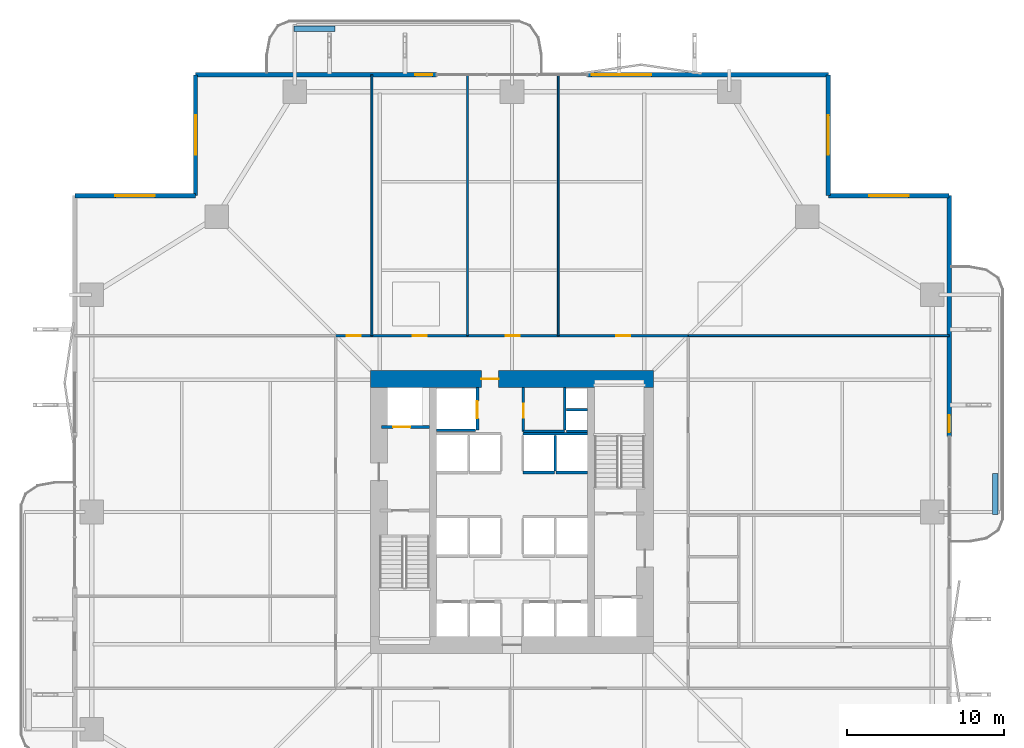
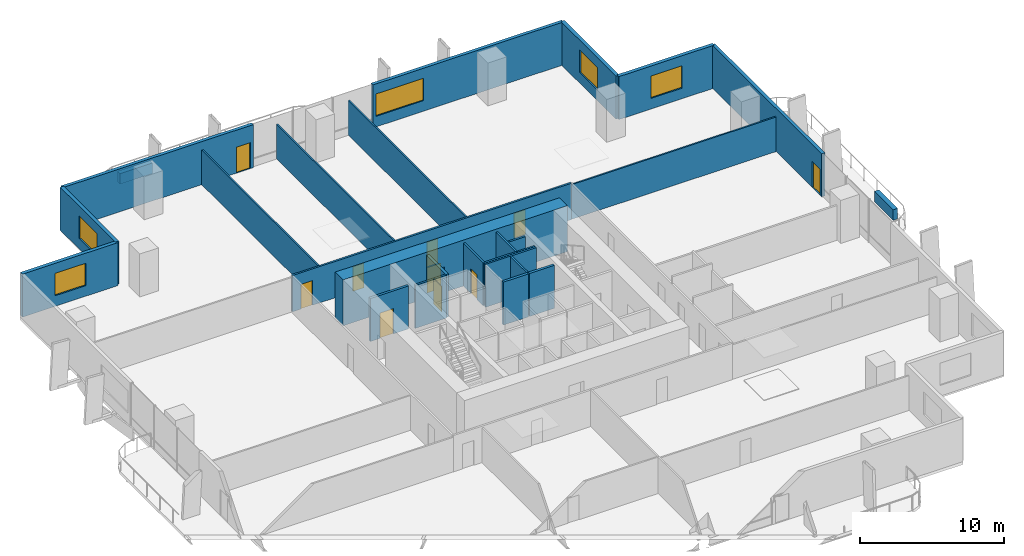
# One storey, part 19 of 24: 27 walls, 10 doors, 5 windows, 15 openings.
"""IFC4 building model written with IfcOpenShell, lengths in metres."""

from ifc_helpers import new_model, si_unit, direction, frame, frame_2d, origin, place, context, subcontext, project, spatial, rectangle, extrude, material, layer, layer_set, type_object, element, fill, save


model = new_model("IFC4")

# Units and contexts
model_context = context("Model", 3, precision=1e-05, world=origin(), true_north=direction((0.0, 1.0)))
body_context = subcontext(model_context, "Body", "Model", "MODEL_VIEW")
ifc_project = project(units=[si_unit("LENGTHUNIT", "METRE"), si_unit("AREAUNIT", "SQUARE_METRE"), si_unit("VOLUMEUNIT", "CUBIC_METRE"), si_unit("PLANEANGLEUNIT", "RADIAN"), si_unit("MASSUNIT", "GRAM", prefix="KILO")], contexts=[model_context])

# Site, building, storey
site_placement = place(None, origin())
site = spatial("IfcSite", under=ifc_project, at=site_placement, CompositionType="ELEMENT")
building_placement = place(site_placement, origin())
building = spatial("IfcBuilding", under=site, at=building_placement, Name="Belovzor Exchange Tower", CompositionType="ELEMENT")
storey_placement = place(building_placement, frame((0.0, 0.0, 61.199951171875)))
storey = spatial("IfcBuildingStorey", under=building, at=storey_placement, Name="L14", CompositionType="ELEMENT", Elevation=61.199951171875)

# Walls
ifc_material_1 = material(Name="Acoustic Plasterboard on Galvanised Studs", Category="gypsum")
ifc_layer_1 = layer(ifc_material_1, 0.1201171875)
ifc_layer_set_1 = layer_set([ifc_layer_1], Name="Acoustic Plasterboard on Galvanised Studs")
wall_type_1 = type_object("IfcWallType", Name="Acoustic Double-Stud Partition Wall 120", PredefinedType="PARTITIONING", material=ifc_layer_set_1)
for number, where, z_axis, x_axis, name in (
    (1, (19.89990234375, 40.0, 0.0), (0.0, 0.0, 1.0), (0.0, 1.0, 0.0), "W-P120 Partition Wall W-L14-NDIV-1"),
    (2, (25.97607421875, 40.0, 0.0), (0.0, 0.0, 1.0), (0.0, 1.0, 0.0), "W-P120 Partition Wall W-L14-NDIV-2"),
    (3, (31.740966796875, 40.0, 0.0), (0.0, 0.0, 1.0), (0.0, 1.0, 0.0), "W-P120 Partition Wall W-L14-NDIV-3"),
    (4, (40.0, 40.0, 0.0), (0.0, 0.0, 1.0), (1.0, 0.0, 0.0), "W-P120 Partition Wall W-L14-END-NE"),
):
    element("IfcWall", number, at=place(storey_placement, frame(where, z_axis=z_axis, x_axis=x_axis)), inside=storey, type_object=wall_type_1, Name=name, PredefinedType="PARTITIONING", context=body_context, shape_type="SweptSolid", body=[
        extrude(rectangle(XDim=16.570068359375, YDim=0.1201171875, at=frame_2d((8.28515625, 0.0))), origin(), (0.0, 0.0, 1.0), 2.93505859375),
    ])

# Wall, opening, door
ifc_material_2 = material(Name="Fire-Rated Gypsum Block and Mineral Wool", Category="gypsum")
ifc_layer_2 = layer(ifc_material_2, 0.14990234375)
ifc_layer_set_2 = layer_set([ifc_layer_2], Name="Fire-Rated Gypsum Block and Mineral Wool")
wall_type_2 = type_object("IfcWallType", Name="Fire-Rated Gypsum Block Corridor Wall 150", PredefinedType="PARTITIONING", material=ifc_layer_set_2)
wall_1_placement = place(storey_placement, frame((29.52490234375, 33.925048828125, 0.0), z_axis=(0.0, 0.0, 1.0), x_axis=(0.0, 1.0, 0.0)))
wall_1 = element("IfcWall", 5, at=wall_1_placement, inside=storey, type_object=wall_type_2, Name="W-P150 Partition Wall W-CRV-L14-W", PredefinedType="PARTITIONING", context=body_context, shape_type="SweptSolid", body=[
    extrude(rectangle(XDim=2.77490234375, YDim=0.14990234375, at=frame_2d((1.387451171875, 0.0))), origin(), (0.0, 0.0, 1.0), 3.650146484375),
])
opening_1_placement = place(wall_1_placement, frame((0.85009765625, 0.0, 0.0)))
opening_1 = element("IfcOpeningElement", 6, at=opening_1_placement, cuts=wall_1, Name="Opening D-FD60-090", PredefinedType="OPENING", context=body_context, shape_type="SweptSolid", body=[
    extrude(rectangle(XDim=0.89990234375, YDim=2.10009765625, at=frame_2d((0.449951171875, 1.050048828125))), frame((0.0, 0.0849609375, 0.0), z_axis=(0.0, -1.0, 0.0), x_axis=(1.0, 0.0, 0.0)), (0.0, 0.0, 1.0), 0.169921875),
])
ifc_material_3 = material(Name="Acoustic Timber Fire Leaf", Category="wood")
door_type_1 = type_object("IfcDoorType", Name="Core Service & Restroom Fire Door 900x2100", OperationType="NOTDEFINED", PredefinedType="DOOR", material=ifc_material_3)
door_1_placement = place(opening_1_placement, origin())
door_1 = element("IfcDoor", 7, at=door_1_placement, inside=storey, type_object=door_type_1, Name="D-FD60-090 Core Service & Restroom Fire Door 900x2100", OperationType="SINGLE_SWING_LEFT", OverallHeight=2.10009765625, OverallWidth=0.89990234375, PredefinedType="DOOR", context=body_context, shape_type="SweptSolid", body=[
    extrude(rectangle(XDim=0.89990234375, YDim=2.10009765625, at=frame_2d((0.449951171875, 1.050048828125))), frame((0.0, 0.02490234375, 0.0), z_axis=(0.0, -1.0, 0.0), x_axis=(1.0, 0.0, 0.0)), (0.0, 0.0, 1.0), 0.050048828125),
])
fill(opening_1, door_1)

# Wall
wall_2_placement = place(storey_placement, frame((29.52490234375, 33.925048828125, 0.0), z_axis=(0.0, 0.0, 1.0), x_axis=(1.0, 0.0, 0.0)))
element("IfcWall", 8, at=wall_2_placement, inside=storey, type_object=wall_type_2, Name="W-P150 Partition Wall W-CRV-L14-S", PredefinedType="PARTITIONING", context=body_context, shape_type="SweptSolid", body=[
    extrude(rectangle(XDim=2.625, YDim=0.14990234375, at=frame_2d((1.3125, 0.0))), origin(), (0.0, 0.0, 1.0), 3.650146484375),
])

# Wall, openings, doors
wall_3_placement = place(storey_placement, frame((17.60009765625, 40.0, 0.0), z_axis=(0.0, 0.0, 1.0), x_axis=(1.0, 0.0, 0.0)))
wall_3 = element("IfcWall", 9, at=wall_3_placement, inside=storey, type_object=wall_type_2, Name="W-P150 Partition Wall W-L14-CN", PredefinedType="PARTITIONING", context=body_context, shape_type="SweptSolid", body=[
    extrude(rectangle(XDim=22.39990234375, YDim=0.14990234375, at=frame_2d((11.199951171875, 0.0))), origin(), (0.0, 0.0, 1.0), 3.0849609375),
])
opening_2_placement = place(wall_3_placement, frame((0.699951171875, 0.0, 0.0)))
opening_2 = element("IfcOpeningElement", 10, at=opening_2_placement, cuts=wall_3, Name="Opening D-INT-090", PredefinedType="OPENING", context=body_context, shape_type="SweptSolid", body=[
    extrude(rectangle(XDim=0.89990234375, YDim=2.10009765625, at=frame_2d((0.449951171875, 1.050048828125))), frame((0.0, 0.0849609375, 0.0), z_axis=(0.0, -1.0, 0.0), x_axis=(1.0, 0.0, 0.0)), (0.0, 0.0, 1.0), 0.169921875),
])
opening_3_placement = place(wall_3_placement, frame((4.887939453125, 0.0, 0.0)))
opening_3 = element("IfcOpeningElement", 11, at=opening_3_placement, cuts=wall_3, Name="Opening D-INT-090", PredefinedType="OPENING", context=body_context, shape_type="SweptSolid", body=[
    extrude(rectangle(XDim=0.89990234375, YDim=2.10009765625, at=frame_2d((0.449951171875, 1.050048828125))), frame((0.0, 0.0849609375, 0.0), z_axis=(0.0, -1.0, 0.0), x_axis=(1.0, 0.0, 0.0)), (0.0, 0.0, 1.0), 0.169921875),
])
opening_4_placement = place(wall_3_placement, frame((10.80810546875, 0.0, 0.0)))
opening_4 = element("IfcOpeningElement", 12, at=opening_4_placement, cuts=wall_3, Name="Opening D-INT-090", PredefinedType="OPENING", context=body_context, shape_type="SweptSolid", body=[
    extrude(rectangle(XDim=0.89990234375, YDim=2.10009765625, at=frame_2d((0.449951171875, 1.050048828125))), frame((0.0, 0.0849609375, 0.0), z_axis=(0.0, -1.0, 0.0), x_axis=(1.0, 0.0, 0.0)), (0.0, 0.0, 1.0), 0.169921875),
])
opening_5_placement = place(wall_3_placement, frame((17.820068359375, 0.0, 0.0)))
opening_5 = element("IfcOpeningElement", 13, at=opening_5_placement, cuts=wall_3, Name="Opening D-INT-090", PredefinedType="OPENING", context=body_context, shape_type="SweptSolid", body=[
    extrude(rectangle(XDim=0.89990234375, YDim=2.10009765625, at=frame_2d((0.449951171875, 1.050048828125))), frame((0.0, 0.0849609375, 0.0), z_axis=(0.0, -1.0, 0.0), x_axis=(1.0, 0.0, 0.0)), (0.0, 0.0, 1.0), 0.169921875),
])
ifc_material_4 = material(Name="Veneered Hardwood Acoustic Leaf", Category="wood")
door_type_2 = type_object("IfcDoorType", Name="Trading Suite Acoustic Single Door 900x2100", OperationType="NOTDEFINED", PredefinedType="DOOR", material=ifc_material_4)
door_2_placement = place(opening_2_placement, origin())
door_2 = element("IfcDoor", 14, at=door_2_placement, inside=storey, type_object=door_type_2, Name="D-INT-090 Trading Suite Acoustic Single Door 900x2100", OperationType="SINGLE_SWING_LEFT", OverallHeight=2.10009765625, OverallWidth=0.89990234375, PredefinedType="DOOR", context=body_context, shape_type="SweptSolid", body=[
    extrude(rectangle(XDim=0.89990234375, YDim=2.10009765625, at=frame_2d((0.449951171875, 1.050048828125))), frame((0.0, 0.02490234375, 0.0), z_axis=(0.0, -1.0, 0.0), x_axis=(1.0, 0.0, 0.0)), (0.0, 0.0, 1.0), 0.050048828125),
])
fill(opening_2, door_2)
door_3_placement = place(opening_3_placement, origin())
door_3 = element("IfcDoor", 15, at=door_3_placement, inside=storey, type_object=door_type_2, Name="D-INT-090 Trading Suite Acoustic Single Door 900x2100", OperationType="SINGLE_SWING_RIGHT", OverallHeight=2.10009765625, OverallWidth=0.89990234375, PredefinedType="DOOR", context=body_context, shape_type="SweptSolid", body=[
    extrude(rectangle(XDim=0.89990234375, YDim=2.10009765625, at=frame_2d((0.449951171875, 1.050048828125))), frame((0.0, 0.02490234375, 0.0), z_axis=(0.0, -1.0, 0.0), x_axis=(1.0, 0.0, 0.0)), (0.0, 0.0, 1.0), 0.050048828125),
])
fill(opening_3, door_3)
door_4_placement = place(opening_4_placement, origin())
door_4 = element("IfcDoor", 16, at=door_4_placement, inside=storey, type_object=door_type_2, Name="D-INT-090 Trading Suite Acoustic Single Door 900x2100", OperationType="SINGLE_SWING_LEFT", OverallHeight=2.10009765625, OverallWidth=0.89990234375, PredefinedType="DOOR", context=body_context, shape_type="SweptSolid", body=[
    extrude(rectangle(XDim=0.89990234375, YDim=2.10009765625, at=frame_2d((0.449951171875, 1.050048828125))), frame((0.0, 0.02490234375, 0.0), z_axis=(0.0, -1.0, 0.0), x_axis=(1.0, 0.0, 0.0)), (0.0, 0.0, 1.0), 0.050048828125),
])
fill(opening_4, door_4)
door_5_placement = place(opening_5_placement, origin())
door_5 = element("IfcDoor", 17, at=door_5_placement, inside=storey, type_object=door_type_2, Name="D-INT-090 Trading Suite Acoustic Single Door 900x2100", OperationType="SINGLE_SWING_RIGHT", OverallHeight=2.10009765625, OverallWidth=0.89990234375, PredefinedType="DOOR", context=body_context, shape_type="SweptSolid", body=[
    extrude(rectangle(XDim=0.89990234375, YDim=2.10009765625, at=frame_2d((0.449951171875, 1.050048828125))), frame((0.0, 0.02490234375, 0.0), z_axis=(0.0, -1.0, 0.0), x_axis=(1.0, 0.0, 0.0)), (0.0, 0.0, 1.0), 0.050048828125),
])
fill(opening_5, door_5)

# Wall, opening, window
ifc_material_5 = material(Name="Precast concrete C40/50", Category="concrete")
ifc_layer_3 = layer(ifc_material_5, 0.280029296875)
ifc_layer_set_3 = layer_set([ifc_layer_3], Name="Precast concrete C40/50")
wall_type_3 = type_object("IfcWallType", Name="Precast Concrete Notched Corner Frame Wall 280", PredefinedType="SOLIDWALL", material=ifc_layer_set_3)
wall_4_placement = place(storey_placement, frame((1.030029296875, 48.89990234375, 0.0), z_axis=(0.0, 0.0, 1.0), x_axis=(1.0, 0.0, 0.0)))
wall_4 = element("IfcWall", 18, at=wall_4_placement, inside=storey, type_object=wall_type_3, Name="W-CRN280 Precast Concrete Notched Corner Frame Wall 280 L14", PredefinedType="SOLIDWALL", context=body_context, shape_type="SweptSolid", body=[
    extrude(rectangle(XDim=7.669921875, YDim=0.280029296875, at=frame_2d((3.8349609375, 0.0))), origin(), (0.0, 0.0, 1.0), 3.650146484375),
])
opening_6_placement = place(wall_4_placement, frame((2.5849609375, 0.0, 0.89990234375)))
opening_6 = element("IfcOpeningElement", 19, at=opening_6_placement, cuts=wall_4, Name="Opening WN-CRN250", PredefinedType="OPENING", context=body_context, shape_type="SweptSolid", body=[
    extrude(rectangle(XDim=2.5, YDim=1.89990234375, at=frame_2d((1.25, 0.949951171875))), frame((0.0, 0.14990234375, 0.0), z_axis=(0.0, -1.0, 0.0), x_axis=(1.0, 0.0, 0.0)), (0.0, 0.0, 1.0), 0.300048828125),
])
ifc_material_6 = material(Name="Thermally Broken Aluminium and Triple Glazing", Category="aluminium")
window_type_1 = type_object("IfcWindowType", Name="Streamline Moderne Corner Wrap Ribbon Window 2500x1900", PartitioningType="SINGLE_PANEL", PredefinedType="WINDOW", material=ifc_material_6)
window_1_placement = place(opening_6_placement, origin())
window_1 = element("IfcWindow", 20, at=window_1_placement, inside=storey, type_object=window_type_1, Name="WN-CRN250 Streamline Moderne Corner Wrap Ribbon Window 2500x1900", OverallHeight=1.89990234375, OverallWidth=2.5, PartitioningType="SINGLE_PANEL", PredefinedType="WINDOW", context=body_context, shape_type="SweptSolid", body=[
    extrude(rectangle(XDim=2.5, YDim=1.89990234375, at=frame_2d((1.25, 0.949951171875))), frame((0.0, 0.030029296875, 0.0), z_axis=(0.0, -1.0, 0.0), x_axis=(1.0, 0.0, 0.0)), (0.0, 0.0, 1.0), 0.06005859375),
])
fill(opening_6, window_1)

wall_5_placement = place(storey_placement, frame((8.699951171875, 48.89990234375, 0.0), z_axis=(0.0, 0.0, 1.0), x_axis=(0.0, 1.0, 0.0)))
wall_5 = element("IfcWall", 21, at=wall_5_placement, inside=storey, type_object=wall_type_3, Name="W-CRN280 Precast Concrete Notched Corner Frame Wall 280 L14", PredefinedType="SOLIDWALL", context=body_context, shape_type="SweptSolid", body=[
    extrude(rectangle(XDim=7.670166015625, YDim=0.280029296875, at=frame_2d((3.8349609375, 0.0))), origin(), (0.0, 0.0, 1.0), 3.650146484375),
])
opening_7_placement = place(wall_5_placement, frame((2.5849609375, 0.0, 0.89990234375)))
opening_7 = element("IfcOpeningElement", 22, at=opening_7_placement, cuts=wall_5, Name="Opening WN-CRN250", PredefinedType="OPENING", context=body_context, shape_type="SweptSolid", body=[
    extrude(rectangle(XDim=2.5, YDim=1.89990234375, at=frame_2d((1.25, 0.949951171875))), frame((0.0, 0.14990234375, 0.0), z_axis=(0.0, -1.0, 0.0), x_axis=(1.0, 0.0, 0.0)), (0.0, 0.0, 1.0), 0.300048828125),
])
window_2_placement = place(opening_7_placement, origin())
window_2 = element("IfcWindow", 23, at=window_2_placement, inside=storey, type_object=window_type_1, Name="WN-CRN250 Streamline Moderne Corner Wrap Ribbon Window 2500x1900", OverallHeight=1.89990234375, OverallWidth=2.5, PartitioningType="SINGLE_PANEL", PredefinedType="WINDOW", context=body_context, shape_type="SweptSolid", body=[
    extrude(rectangle(XDim=2.5, YDim=1.89990234375, at=frame_2d((1.25, 0.949951171875))), frame((0.0, 0.030029296875, 0.0), z_axis=(0.0, -1.0, 0.0), x_axis=(1.0, 0.0, 0.0)), (0.0, 0.0, 1.0), 0.06005859375),
])
fill(opening_7, window_2)

wall_6_placement = place(storey_placement, frame((48.89990234375, 56.570068359375, 0.0), z_axis=(0.0, 0.0, 1.0), x_axis=(0.0, -1.0, 0.0)))
wall_6 = element("IfcWall", 24, at=wall_6_placement, inside=storey, type_object=wall_type_3, Name="W-CRN280 Precast Concrete Notched Corner Frame Wall 280 L14", PredefinedType="SOLIDWALL", context=body_context, shape_type="SweptSolid", body=[
    extrude(rectangle(XDim=7.670166015625, YDim=0.280029296875, at=frame_2d((3.8349609375, 0.0))), origin(), (0.0, 0.0, 1.0), 3.650146484375),
])
opening_8_placement = place(wall_6_placement, frame((2.5849609375, 0.0, 0.89990234375)))
opening_8 = element("IfcOpeningElement", 25, at=opening_8_placement, cuts=wall_6, Name="Opening WN-CRN250", PredefinedType="OPENING", context=body_context, shape_type="SweptSolid", body=[
    extrude(rectangle(XDim=2.5, YDim=1.89990234375, at=frame_2d((1.25, 0.949951171875))), frame((0.0, 0.14990234375, 0.0), z_axis=(0.0, -1.0, 0.0), x_axis=(1.0, 0.0, 0.0)), (0.0, 0.0, 1.0), 0.300048828125),
])
window_3_placement = place(opening_8_placement, origin())
window_3 = element("IfcWindow", 26, at=window_3_placement, inside=storey, type_object=window_type_1, Name="WN-CRN250 Streamline Moderne Corner Wrap Ribbon Window 2500x1900", OverallHeight=1.89990234375, OverallWidth=2.5, PartitioningType="SINGLE_PANEL", PredefinedType="WINDOW", context=body_context, shape_type="SweptSolid", body=[
    extrude(rectangle(XDim=2.5, YDim=1.89990234375, at=frame_2d((1.25, 0.949951171875))), frame((0.0, 0.030029296875, 0.0), z_axis=(0.0, -1.0, 0.0), x_axis=(1.0, 0.0, 0.0)), (0.0, 0.0, 1.0), 0.06005859375),
])
fill(opening_8, window_3)

wall_7_placement = place(storey_placement, frame((48.89990234375, 48.89990234375, 0.0), z_axis=(0.0, 0.0, 1.0), x_axis=(1.0, 0.0, 0.0)))
wall_7 = element("IfcWall", 27, at=wall_7_placement, inside=storey, type_object=wall_type_3, Name="W-CRN280 Precast Concrete Notched Corner Frame Wall 280 L14", PredefinedType="SOLIDWALL", context=body_context, shape_type="SweptSolid", body=[
    extrude(rectangle(XDim=7.670166015625, YDim=0.280029296875, at=frame_2d((3.8349609375, 0.0))), origin(), (0.0, 0.0, 1.0), 3.650146484375),
])
opening_9_placement = place(wall_7_placement, frame((2.5849609375, 0.0, 0.89990234375)))
opening_9 = element("IfcOpeningElement", 28, at=opening_9_placement, cuts=wall_7, Name="Opening WN-CRN250", PredefinedType="OPENING", context=body_context, shape_type="SweptSolid", body=[
    extrude(rectangle(XDim=2.5, YDim=1.89990234375, at=frame_2d((1.25, 0.949951171875))), frame((0.0, 0.14990234375, 0.0), z_axis=(0.0, -1.0, 0.0), x_axis=(1.0, 0.0, 0.0)), (0.0, 0.0, 1.0), 0.300048828125),
])
window_4_placement = place(opening_9_placement, origin())
window_4 = element("IfcWindow", 29, at=window_4_placement, inside=storey, type_object=window_type_1, Name="WN-CRN250 Streamline Moderne Corner Wrap Ribbon Window 2500x1900", OverallHeight=1.89990234375, OverallWidth=2.5, PartitioningType="SINGLE_PANEL", PredefinedType="WINDOW", context=body_context, shape_type="SweptSolid", body=[
    extrude(rectangle(XDim=2.5, YDim=1.89990234375, at=frame_2d((1.25, 0.949951171875))), frame((0.0, 0.030029296875, 0.0), z_axis=(0.0, -1.0, 0.0), x_axis=(1.0, 0.0, 0.0)), (0.0, 0.0, 1.0), 0.06005859375),
])
fill(opening_9, window_4)

# Wall, opening, door
ifc_material_7 = material(Name="Precast concrete C40/50", Category="concrete")
ifc_layer_4 = layer(ifc_material_7, 0.260009765625)
ifc_layer_set_4 = layer_set([ifc_layer_4], Name="Precast concrete C40/50")
wall_type_4 = type_object("IfcWallType", Name="Precast Concrete Perimeter Loggia Frame Wall 260", PredefinedType="SOLIDWALL", material=ifc_layer_set_4)
wall_8_placement = place(storey_placement, frame((8.699951171875, 56.570068359375, 0.0), z_axis=(0.0, 0.0, 1.0), x_axis=(1.0, 0.0, 0.0)))
wall_8 = element("IfcWall", 30, at=wall_8_placement, inside=storey, type_object=wall_type_4, Name="W-EXT260 Precast Concrete Perimeter Loggia Frame Wall 260 L14", PredefinedType="SOLIDWALL", context=body_context, shape_type="SweptSolid", body=[
    extrude(rectangle(XDim=15.300048828125, YDim=0.260009765625, at=frame_2d((7.64990234375, 0.0))), origin(), (0.0, 0.0, 1.0), 3.650146484375),
])
opening_10_placement = place(wall_8_placement, frame((13.949951171875, 0.0, 0.0)))
opening_10 = element("IfcOpeningElement", 31, at=opening_10_placement, cuts=wall_8, Name="Opening D-BAL110", PredefinedType="OPENING", context=body_context, shape_type="SweptSolid", body=[
    extrude(rectangle(XDim=1.10009765625, YDim=2.199951171875, at=frame_2d((0.550048828125, 1.10009765625))), frame((0.0, 0.139892578125, 0.0), z_axis=(0.0, -1.0, 0.0), x_axis=(1.0, 0.0, 0.0)), (0.0, 0.0, 1.0), 0.280029296875),
])
ifc_material_8 = material(Name="Thermally Broken Anodised Aluminium and Laminated Glass", Category="aluminium")
door_type_3 = type_object("IfcDoorType", Name="Planted Loggia Terrace Glazed Door 1100x2200", OperationType="SINGLE_SWING_LEFT", PredefinedType="DOOR", material=ifc_material_8)
door_6_placement = place(opening_10_placement, origin())
door_6 = element("IfcDoor", 32, at=door_6_placement, inside=storey, type_object=door_type_3, Name="D-BAL110 Balcony Terrace Door L14 N", OperationType="SINGLE_SWING_RIGHT", OverallHeight=2.199951171875, OverallWidth=1.10009765625, PredefinedType="DOOR", context=body_context, shape_type="SweptSolid", body=[
    extrude(rectangle(XDim=1.10009765625, YDim=2.199951171875, at=frame_2d((0.550048828125, 1.10009765625))), frame((0.0, 0.02490234375, 0.0), z_axis=(0.0, -1.0, 0.0), x_axis=(1.0, 0.0, 0.0)), (0.0, 0.0, 1.0), 0.050048828125),
])
fill(opening_10, door_6)

# Wall, opening, window
wall_9_placement = place(storey_placement, frame((33.60009765625, 56.570068359375, 0.0), z_axis=(0.0, 0.0, 1.0), x_axis=(1.0, 0.0, 0.0)))
wall_9 = element("IfcWall", 33, at=wall_9_placement, inside=storey, type_object=wall_type_4, Name="W-EXT260 Precast Concrete Perimeter Loggia Frame Wall 260 L14", PredefinedType="SOLIDWALL", context=body_context, shape_type="SweptSolid", body=[
    extrude(rectangle(XDim=15.2998046875, YDim=0.260009765625, at=frame_2d((7.64990234375, 0.0))), origin(), (0.0, 0.0, 1.0), 3.650146484375),
])
opening_11_placement = place(wall_9_placement, frame((0.25, 0.0, 0.89990234375)))
opening_11 = element("IfcOpeningElement", 34, at=opening_11_placement, cuts=wall_9, Name="Opening WN-RIB380", PredefinedType="OPENING", context=body_context, shape_type="SweptSolid", body=[
    extrude(rectangle(XDim=3.800048828125, YDim=1.89990234375, at=frame_2d((1.89990234375, 0.949951171875))), frame((0.0, 0.139892578125, 0.0), z_axis=(0.0, -1.0, 0.0), x_axis=(1.0, 0.0, 0.0)), (0.0, 0.0, 1.0), 0.280029296875),
])
ifc_material_9 = material(Name="Thermally Broken Aluminium and Triple Glazing", Category="aluminium")
window_type_2 = type_object("IfcWindowType", Name="Streamline Moderne Horizontal Ribbon Window 3800x1900", PartitioningType="SINGLE_PANEL", PredefinedType="WINDOW", material=ifc_material_9)
window_5_placement = place(opening_11_placement, origin())
window_5 = element("IfcWindow", 35, at=window_5_placement, inside=storey, type_object=window_type_2, Name="WN-RIB380 Streamline Moderne Horizontal Ribbon Window 3800x1900", OverallHeight=1.89990234375, OverallWidth=3.800048828125, PartitioningType="SINGLE_PANEL", PredefinedType="WINDOW", context=body_context, shape_type="SweptSolid", body=[
    extrude(rectangle(XDim=3.800048828125, YDim=1.89990234375, at=frame_2d((1.89990234375, 0.949951171875))), frame((0.0, 0.030029296875, 0.0), z_axis=(0.0, -1.0, 0.0), x_axis=(1.0, 0.0, 0.0)), (0.0, 0.0, 1.0), 0.06005859375),
])
fill(opening_11, window_5)

# Wall, opening, door
wall_10_placement = place(storey_placement, frame((56.570068359375, 48.89990234375, 0.0), z_axis=(0.0, 0.0, 1.0), x_axis=(0.0, -1.0, 0.0)))
wall_10 = element("IfcWall", 36, at=wall_10_placement, inside=storey, type_object=wall_type_4, Name="W-EXT260 Precast Concrete Perimeter Loggia Frame Wall 260 L14", PredefinedType="SOLIDWALL", context=body_context, shape_type="SweptSolid", body=[
    extrude(rectangle(XDim=15.2998046875, YDim=0.260009765625, at=frame_2d((7.64990234375, 0.0))), origin(), (0.0, 0.0, 1.0), 3.650146484375),
])
opening_12_placement = place(wall_10_placement, frame((13.949951171875, 0.0, 0.0)))
opening_12 = element("IfcOpeningElement", 37, at=opening_12_placement, cuts=wall_10, Name="Opening D-BAL110", PredefinedType="OPENING", context=body_context, shape_type="SweptSolid", body=[
    extrude(rectangle(XDim=1.10009765625, YDim=2.199951171875, at=frame_2d((0.550048828125, 1.10009765625))), frame((0.0, 0.139892578125, 0.0), z_axis=(0.0, -1.0, 0.0), x_axis=(1.0, 0.0, 0.0)), (0.0, 0.0, 1.0), 0.280029296875),
])
door_7_placement = place(opening_12_placement, origin())
door_7 = element("IfcDoor", 38, at=door_7_placement, inside=storey, type_object=door_type_3, Name="D-BAL110 Balcony Terrace Door L14 E", OperationType="SINGLE_SWING_LEFT", OverallHeight=2.199951171875, OverallWidth=1.10009765625, PredefinedType="DOOR", context=body_context, shape_type="SweptSolid", body=[
    extrude(rectangle(XDim=1.10009765625, YDim=2.199951171875, at=frame_2d((0.550048828125, 1.10009765625))), frame((0.0, 0.02490234375, 0.0), z_axis=(0.0, -1.0, 0.0), x_axis=(1.0, 0.0, 0.0)), (0.0, 0.0, 1.0), 0.050048828125),
])
fill(opening_12, door_7)

# Walls
ifc_material_10 = material(Name="Precast concrete C40/50", Category="concrete")
ifc_layer_5 = layer(ifc_material_10, 0.35009765625)
ifc_layer_set_5 = layer_set([ifc_layer_5], Name="Precast concrete C40/50")
wall_type_5 = type_object("IfcWallType", Name="Precast Concrete Structural Tree Planter Trough 350", PredefinedType="PARAPET", material=ifc_layer_set_5)
for number, where, z_axis, x_axis, name in (
    (39, (14.949951171875, 59.5, 0.0), (0.0, 0.0, 1.0), (1.0, 0.0, 0.0), "PT-350 Precast Concrete Structural Tree Planter Trough 350 L14"),
    (40, (59.5, 28.64990234375, 0.0), (0.0, 0.0, 1.0), (0.0, 1.0, 0.0), "PT-350 Precast Concrete Structural Tree Planter Trough 350 L14"),
):
    element("IfcWall", number, at=place(storey_placement, frame(where, z_axis=z_axis, x_axis=x_axis)), inside=storey, type_object=wall_type_5, Name=name, PredefinedType="PARAPET", context=body_context, shape_type="SweptSolid", body=[
        extrude(rectangle(XDim=2.60009765625, YDim=0.35009765625, at=frame_2d((1.300048828125, 0.0))), origin(), (0.0, 0.0, 1.0), 0.900146484375),
    ])
ifc_material_11 = material(Name="Concrete C50/60", Category="concrete")
ifc_layer_6 = layer(ifc_material_11, 0.14990234375)
ifc_layer_set_6 = layer_set([ifc_layer_6], Name="Concrete C50/60")
wall_type_6 = type_object("IfcWallType", Name="Reinforced Concrete Core Riser Shear Wall 150", PredefinedType="SHEAR", material=ifc_layer_set_6)
wall_11_placement = place(storey_placement, frame((32.14990234375, 34.0, 0.0), z_axis=(0.0, 0.0, 1.0), x_axis=(0.0, 1.0, 0.0)))
element("IfcWall", 41, at=wall_11_placement, inside=storey, type_object=wall_type_6, Name="W-C150S Core Shaft Wall W-RSR-L14-E", PredefinedType="SHEAR", context=body_context, shape_type="SweptSolid", body=[
    extrude(rectangle(XDim=2.699951171875, YDim=0.14990234375, at=frame_2d((1.35009765625, 0.0))), origin(), (0.0, 0.0, 1.0), 3.650146484375),
])
for number, where, z_axis, x_axis, name in (
    (42, (32.25, 33.925048828125, 0.0), (0.0, 0.0, 1.0), (1.0, 0.0, 0.0), "W-C150S Core Shaft Wall W-RSR-L14-S"),
    (43, (32.25, 35.300048828125, 0.0), (0.0, 0.0, 1.0), (1.0, 0.0, 0.0), "W-C150S Core Shaft Wall W-RSR-L14-M"),
):
    element("IfcWall", number, at=place(storey_placement, frame(where, z_axis=z_axis, x_axis=x_axis)), inside=storey, type_object=wall_type_6, Name=name, PredefinedType="SHEAR", context=body_context, shape_type="SweptSolid", body=[
        extrude(rectangle(XDim=1.330078125, YDim=0.14990234375, at=frame_2d((0.6650390625, 0.0))), origin(), (0.0, 0.0, 1.0), 3.650146484375),
    ])
wall_12_placement = place(storey_placement, frame((24.0, 34.0, 0.0), z_axis=(0.0, 0.0, 1.0), x_axis=(1.0, 0.0, 0.0)))
element("IfcWall", 44, at=wall_12_placement, inside=storey, type_object=wall_type_6, Name="W-C150S Core Shaft Wall W-SH-L14-SL-01S", PredefinedType="SHEAR", context=body_context, shape_type="SweptSolid", body=[
    extrude(rectangle(XDim=2.47998046875, YDim=0.14990234375, at=frame_2d((1.239990234375, 0.0))), origin(), (0.0, 0.0, 1.0), 3.650146484375),
])
wall_13_placement = place(storey_placement, frame((29.5, 33.760009765625, 0.0), z_axis=(0.0, 0.0, 1.0), x_axis=(1.0, 0.0, 0.0)))
element("IfcWall", 45, at=wall_13_placement, inside=storey, type_object=wall_type_6, Name="W-C150S Core Shaft Wall W-SHB-L14-PLH-NE", PredefinedType="SHEAR", context=body_context, shape_type="SweptSolid", body=[
    extrude(rectangle(XDim=4.080078125, YDim=0.14990234375, at=frame_2d((2.0400390625, 0.0))), origin(), (0.0, 0.0, 1.0), 3.650146484375),
])
wall_14_placement = place(storey_placement, frame((31.550048828125, 31.419921875, 0.0), z_axis=(0.0, 0.0, 1.0), x_axis=(0.0, 1.0, 0.0)))
element("IfcWall", 46, at=wall_14_placement, inside=storey, type_object=wall_type_6, Name="W-C150S Core Shaft Wall W-SHD-L14-PLH-4", PredefinedType="SHEAR", context=body_context, shape_type="SweptSolid", body=[
    extrude(rectangle(XDim=2.239990234375, YDim=0.14990234375, at=frame_2d((1.1201171875, 0.0))), origin(), (0.0, 0.0, 1.0), 3.650146484375),
])

# Wall, opening, door
ifc_material_12 = material(Name="Concrete C50/60", Category="concrete")
ifc_layer_7 = layer(ifc_material_12, 0.199951171875)
ifc_layer_set_7 = layer_set([ifc_layer_7], Name="Concrete C50/60")
wall_type_7 = type_object("IfcWallType", Name="Reinforced Concrete Core Shaft Shear Wall 200", PredefinedType="SHEAR", material=ifc_layer_set_7)
wall_15_placement = place(storey_placement, frame((20.5, 34.199951171875, 0.0), z_axis=(0.0, 0.0, 1.0), x_axis=(1.0, 0.0, 0.0)))
wall_15 = element("IfcWall", 47, at=wall_15_placement, inside=storey, type_object=wall_type_7, Name="W-C200S Core Shaft Wall W-SH-L14-FFL-01", PredefinedType="SHEAR", context=body_context, shape_type="SweptSolid", body=[
    extrude(rectangle(XDim=3.050048828125, YDim=0.199951171875, at=frame_2d((1.52490234375, 0.0))), origin(), (0.0, 0.0, 1.0), 3.650146484375),
])
opening_13_placement = place(wall_15_placement, frame((0.75, 0.0, 0.0)))
opening_13 = element("IfcOpeningElement", 48, at=opening_13_placement, cuts=wall_15, Name="Opening LD-110", PredefinedType="OPENING", context=body_context, shape_type="SweptSolid", body=[
    extrude(rectangle(XDim=1.10009765625, YDim=2.14990234375, at=frame_2d((0.550048828125, 1.074951171875))), frame((0.0, 0.10986328125, 0.0), z_axis=(0.0, -1.0, 0.0), x_axis=(1.0, 0.0, 0.0)), (0.0, 0.0, 1.0), 0.219970703125),
])
ifc_material_13 = material(Name="Stainless Steel Grade 304", Category="steel")
door_type_4 = type_object("IfcDoorType", Name="Automated Stainless Steel Lift Landing Door 1100x2150", OperationType="SLIDING_TO_RIGHT", PredefinedType="DOOR", material=ifc_material_13)
door_8_placement = place(opening_13_placement, origin())
door_8 = element("IfcDoor", 49, at=door_8_placement, inside=storey, type_object=door_type_4, Name="LD-110 Automated Stainless Steel Lift Landing Door 1100x2150", OperationType="SLIDING_TO_RIGHT", OverallHeight=2.14990234375, OverallWidth=1.10009765625, PredefinedType="DOOR", context=body_context, shape_type="SweptSolid", body=[
    extrude(rectangle(XDim=1.10009765625, YDim=2.14990234375, at=frame_2d((0.550048828125, 1.074951171875))), frame((0.0, 0.02490234375, 0.0), z_axis=(0.0, -1.0, 0.0), x_axis=(1.0, 0.0, 0.0)), (0.0, 0.0, 1.0), 0.050048828125),
])
fill(opening_13, door_8)

wall_16_placement = place(storey_placement, frame((26.60009765625, 34.0, 0.0), z_axis=(0.0, 0.0, 1.0), x_axis=(0.0, 1.0, 0.0)))
wall_16 = element("IfcWall", 50, at=wall_16_placement, inside=storey, type_object=wall_type_7, Name="W-C200S Core Shaft Wall W-SH-L14-SL-01", PredefinedType="SHEAR", context=body_context, shape_type="SweptSolid", body=[
    extrude(rectangle(XDim=2.699951171875, YDim=0.199951171875, at=frame_2d((1.35009765625, 0.0))), origin(), (0.0, 0.0, 1.0), 3.650146484375),
])
opening_14_placement = place(wall_16_placement, frame((0.75, 0.0, 0.0)))
opening_14 = element("IfcOpeningElement", 51, at=opening_14_placement, cuts=wall_16, Name="Opening LD-110", PredefinedType="OPENING", context=body_context, shape_type="SweptSolid", body=[
    extrude(rectangle(XDim=1.10009765625, YDim=2.14990234375, at=frame_2d((0.550048828125, 1.074951171875))), frame((0.0, 0.10986328125, 0.0), z_axis=(0.0, -1.0, 0.0), x_axis=(1.0, 0.0, 0.0)), (0.0, 0.0, 1.0), 0.219970703125),
])
door_9_placement = place(opening_14_placement, origin())
door_9 = element("IfcDoor", 52, at=door_9_placement, inside=storey, type_object=door_type_4, Name="LD-110 Automated Stainless Steel Lift Landing Door 1100x2150", OperationType="SLIDING_TO_RIGHT", OverallHeight=2.14990234375, OverallWidth=1.10009765625, PredefinedType="DOOR", context=body_context, shape_type="SweptSolid", body=[
    extrude(rectangle(XDim=1.10009765625, YDim=2.14990234375, at=frame_2d((0.550048828125, 1.074951171875))), frame((0.0, 0.02490234375, 0.0), z_axis=(0.0, -1.0, 0.0), x_axis=(1.0, 0.0, 0.0)), (0.0, 0.0, 1.0), 0.050048828125),
])
fill(opening_14, door_9)

# Walls
for number, where, z_axis, x_axis, name in (
    (53, (29.5, 31.300048828125, 0.0), (0.0, 0.0, 1.0), (1.0, 0.0, 0.0), "W-C200S Core Shaft Wall W-SH-L14-PL-H3"),
    (54, (31.60009765625, 31.300048828125, 0.0), (0.0, 0.0, 1.0), (1.0, 0.0, 0.0), "W-C200S Core Shaft Wall W-SH-L14-PL-H4"),
):
    element("IfcWall", number, at=place(storey_placement, frame(where, z_axis=z_axis, x_axis=x_axis)), inside=storey, type_object=wall_type_7, Name=name, PredefinedType="SHEAR", context=body_context, shape_type="SweptSolid", body=[
        extrude(rectangle(XDim=2.0, YDim=0.199951171875, at=frame_2d((1.0, 0.0))), origin(), (0.0, 0.0, 1.0), 3.650146484375),
    ])

# Wall, opening, door
ifc_material_14 = material(Name="Concrete C60/75", Category="concrete")
ifc_layer_8 = layer(ifc_material_14, 1.10009765625)
ifc_layer_set_8 = layer_set([ifc_layer_8], Name="Concrete C60/75")
wall_type_8 = type_object("IfcWallType", Name="Reinforced Concrete Core Shear Wall 1100", PredefinedType="SHEAR", material=ifc_layer_set_8)
wall_17_placement = place(storey_placement, frame((19.800048828125, 37.25, 0.0), z_axis=(0.0, 0.0, 1.0), x_axis=(1.0, 0.0, 0.0)))
wall_17 = element("IfcWall", 55, at=wall_17_placement, inside=storey, type_object=wall_type_8, Name="CW-S110 Core Shear Wall L14 N", PredefinedType="SHEAR", context=body_context, shape_type="SweptSolid", body=[
    extrude(rectangle(XDim=18.0, YDim=1.10009765625, at=frame_2d((9.0, 0.0))), origin(), (0.0, 0.0, 1.0), 3.900146484375),
])
opening_15_placement = place(wall_17_placement, frame((7.050048828125, 0.0, 0.0)))
opening_15 = element("IfcOpeningElement", 56, at=opening_15_placement, cuts=wall_17, Name="Opening D-FD90-110", PredefinedType="OPENING", context=body_context, shape_type="SweptSolid", body=[
    extrude(rectangle(XDim=1.10009765625, YDim=2.14990234375, at=frame_2d((0.550048828125, 1.074951171875))), frame((0.0, 0.56005859375, 0.0), z_axis=(0.0, -1.0, 0.0), x_axis=(1.0, 0.0, 0.0)), (0.0, 0.0, 1.0), 1.1201171875),
])
ifc_material_15 = material(Name="Fire-Rated Galvanised Steel Leaf", Category="steel")
door_type_5 = type_object("IfcDoorType", Name="Protected Escape Vestibule Fire Door 1100x2150", OperationType="NOTDEFINED", PredefinedType="DOOR", material=ifc_material_15)
door_10_placement = place(opening_15_placement, origin())
door_10 = element("IfcDoor", 57, at=door_10_placement, inside=storey, type_object=door_type_5, Name="D-FD90-110 Protected Escape Vestibule Fire Door 1100x2150", OperationType="SINGLE_SWING_RIGHT", OverallHeight=2.14990234375, OverallWidth=1.10009765625, PredefinedType="DOOR", context=body_context, shape_type="SweptSolid", body=[
    extrude(rectangle(XDim=1.10009765625, YDim=2.14990234375, at=frame_2d((0.550048828125, 1.074951171875))), frame((0.0, 0.02490234375, 0.0), z_axis=(0.0, -1.0, 0.0), x_axis=(1.0, 0.0, 0.0)), (0.0, 0.0, 1.0), 0.050048828125),
])
fill(opening_15, door_10)

save(model, "model.ifc")
